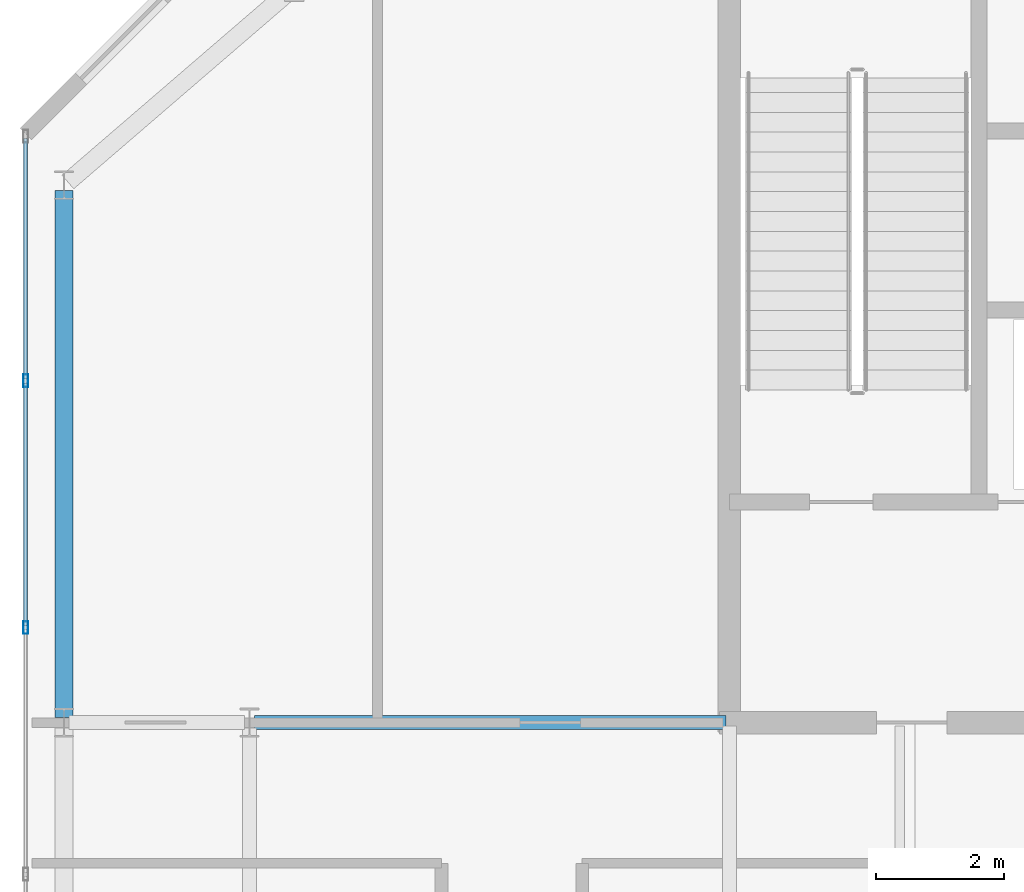
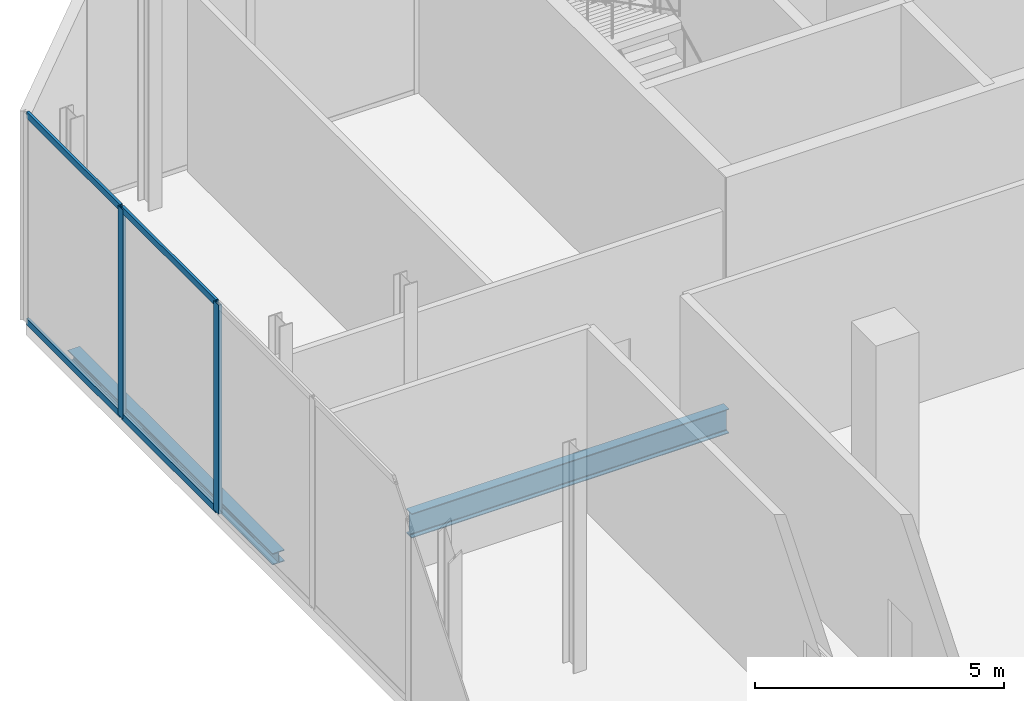
# One storey, part 8 of 17: 6 members, 2 beams, 1 element without a shape of its own.
"""IFC4 building model written with IfcOpenShell, lengths in metres."""

from ifc_helpers import new_model, si_unit, direction, frame, origin, origin_2d, place, context, subcontext, project, spatial, hollow_rectangle, i_section, extrude, material, layer, layer_set, material_profile, profile_set, type_object, element, aggregate, save


model = new_model("IFC4")

# Units and contexts
model_context = context("Model", 3, precision=1e-05, world=origin(), true_north=direction((0.0, 1.0)))
body_context = subcontext(model_context, "Body", "Model", "MODEL_VIEW")
ifc_project = project(units=[si_unit("LENGTHUNIT", "METRE"), si_unit("AREAUNIT", "SQUARE_METRE"), si_unit("VOLUMEUNIT", "CUBIC_METRE"), si_unit("PLANEANGLEUNIT", "RADIAN"), si_unit("MASSUNIT", "GRAM", prefix="KILO")], contexts=[model_context])

# Site, building, storey
site_placement = place(None, origin())
site = spatial("IfcSite", under=ifc_project, at=site_placement, CompositionType="ELEMENT")
building_placement = place(site_placement, origin())
building = spatial("IfcBuilding", under=site, at=building_placement, Name="Catumbela Crestline Tower", CompositionType="ELEMENT")
storey_placement = place(building_placement, frame((0.0, 0.0, 213.0)))
storey = spatial("IfcBuildingStorey", under=building, at=storey_placement, Name="L55", CompositionType="ELEMENT", Elevation=213.0)

# Beam
ifc_material_1 = material(Name="Structural steel S355J2", Category="steel")
ifc_material_profile_1 = material_profile(ifc_material_1, i_section(OverallWidth=0.22, OverallDepth=0.6, WebThickness=0.012, FlangeThickness=0.019, FilletRadius=0.024, at=origin_2d()), Name="IPE 600")
ifc_profile_set_1 = profile_set([ifc_material_profile_1], Name="Structural steel S355J2")
beam_type_1 = type_object("IfcBeamType", Name="BG-IPE600", PredefinedType="BEAM", material=ifc_profile_set_1)
beam_1_placement = place(storey_placement, frame((8.58, 30.8, -0.65), z_axis=(1.0, 0.0, 0.0), x_axis=(0.0, 1.0, 0.0)))
element("IfcBeam", 1, at=beam_1_placement, inside=storey, type_object=beam_type_1, Name="L55 Beam BM-L55-M07", PredefinedType="BEAM", context=body_context, shape_type="SweptSolid", body=[
    extrude(i_section(OverallWidth=0.22, OverallDepth=0.6, WebThickness=0.012, FlangeThickness=0.019, FilletRadius=0.024, at=origin_2d()), origin(), (0.0, 0.0, 1.0), 7.37),
])

# Curtain wall, members
ifc_material_2 = material(Name="Aluminium alloy AW-6060-T66", Category="aluminium")
ifc_layer = layer(ifc_material_2, 0.18, Name="Aluminium alloy AW-6060-T66")
ifc_layer_set = layer_set([ifc_layer], Name="Aluminium alloy AW-6060-T66")
curtain_wall_type = type_object("IfcCurtainWallType", Name="CWU-SKY", PredefinedType="USERDEFINED", material=ifc_layer_set)
curtain_wall_placement = place(storey_placement, origin())
curtain_wall = element("IfcCurtainWall", 2, at=curtain_wall_placement, inside=storey, type_object=curtain_wall_type, Name="L55 Unitised Curtain Wall CW-L55-E9S1", ObjectType="UNITISED", PredefinedType="USERDEFINED")
ifc_material_profile_2 = material_profile(ifc_material_2, hollow_rectangle(XDim=0.075, YDim=0.2, WallThickness=0.005, at=origin_2d()), Name="ALU 200x75x5")
ifc_profile_set_2 = profile_set([ifc_material_profile_2], Name="Aluminium alloy AW-6060-T66")
member_type_1 = type_object("IfcMemberType", Name="MUL-200X75", PredefinedType="MULLION", material=ifc_profile_set_2)
member_1_placement = place(storey_placement, frame((5.0, 36.1429, 0.0), z_axis=(0.0, 0.0, 1.0), x_axis=(1.0, 0.0, 0.0)))
member_1 = element("IfcMember", 3, at=member_1_placement, type_object=member_type_1, Name="CWU-SKY mullion 2", PredefinedType="MULLION", context=body_context, shape_type="SweptSolid", body=[
    extrude(hollow_rectangle(XDim=0.075, YDim=0.2, WallThickness=0.005, at=origin_2d()), origin(), (0.0, 0.0, 1.0), 5.13),
])
member_2_placement = place(storey_placement, frame((5.0, 32.2857, 0.0), z_axis=(0.0, 0.0, 1.0), x_axis=(1.0, 0.0, 0.0)))
member_2 = element("IfcMember", 4, at=member_2_placement, type_object=member_type_1, Name="CWU-SKY mullion 3", PredefinedType="MULLION", context=body_context, shape_type="SweptSolid", body=[
    extrude(hollow_rectangle(XDim=0.075, YDim=0.2, WallThickness=0.005, at=origin_2d()), origin(), (0.0, 0.0, 1.0), 5.13),
])

# Beam
ifc_material_profile_3 = material_profile(ifc_material_1, i_section(OverallWidth=0.28, OverallDepth=0.28, WebThickness=0.0105, FlangeThickness=0.018, FilletRadius=0.024, at=origin_2d()), Name="HEB 280")
ifc_profile_set_3 = profile_set([ifc_material_profile_3], Name="Structural steel S355J2")
beam_type_2 = type_object("IfcBeamType", Name="BS-HEB280", PredefinedType="SPANDREL", material=ifc_profile_set_3)
beam_2_placement = place(storey_placement, frame((5.6, 30.88, -0.49), z_axis=(0.0, 1.0, 0.0), x_axis=(-1.0, 0.0, 0.0)))
element("IfcBeam", 5, at=beam_2_placement, inside=storey, type_object=beam_type_2, Name="L55 Spandrel SP-L55-SN13", PredefinedType="SPANDREL", context=body_context, shape_type="SweptSolid", body=[
    extrude(i_section(OverallWidth=0.28, OverallDepth=0.28, WebThickness=0.0105, FlangeThickness=0.018, FilletRadius=0.024, at=origin_2d()), origin(), (0.0, 0.0, 1.0), 8.24),
])

# Member
ifc_material_profile_4 = material_profile(ifc_material_2, hollow_rectangle(XDim=0.06, YDim=0.16, WallThickness=0.004, at=origin_2d()), Name="ALU 160x60x4")
ifc_profile_set_4 = profile_set([ifc_material_profile_4], Name="Aluminium alloy AW-6060-T66")
member_type_2 = type_object("IfcMemberType", Name="TRN-160X60", PredefinedType="USERDEFINED", material=ifc_profile_set_4)
member_3_placement = place(storey_placement, frame((5.0, 39.935, 0.03), z_axis=(0.0, -1.0, 0.0), x_axis=(1.0, 0.0, 0.0)))
member_3 = element("IfcMember", 6, at=member_3_placement, type_object=member_type_2, Name="CWU-SKY transom 1.1", ObjectType="TRANSOM", PredefinedType="USERDEFINED", context=body_context, shape_type="SweptSolid", body=[
    extrude(hollow_rectangle(XDim=0.06, YDim=0.16, WallThickness=0.004, at=origin_2d()), origin(), (0.0, 0.0, 1.0), 3.7596),
])

member_4_placement = place(storey_placement, frame((5.0, 39.935, 5.1), z_axis=(0.0, -1.0, 0.0), x_axis=(1.0, 0.0, 0.0)))
member_4 = element("IfcMember", 7, at=member_4_placement, type_object=member_type_2, Name="CWU-SKY transom 1.2", ObjectType="TRANSOM", PredefinedType="USERDEFINED", context=body_context, shape_type="SweptSolid", body=[
    extrude(hollow_rectangle(XDim=0.06, YDim=0.16, WallThickness=0.004, at=origin_2d()), origin(), (0.0, 0.0, 1.0), 3.7596),
])

member_5_placement = place(storey_placement, frame((5.0, 36.1104, 0.03), z_axis=(0.0, -1.0, 0.0), x_axis=(1.0, 0.0, 0.0)))
member_5 = element("IfcMember", 8, at=member_5_placement, type_object=member_type_2, Name="CWU-SKY transom 2.1", ObjectType="TRANSOM", PredefinedType="USERDEFINED", context=body_context, shape_type="SweptSolid", body=[
    extrude(hollow_rectangle(XDim=0.06, YDim=0.16, WallThickness=0.004, at=origin_2d()), origin(), (0.0, 0.0, 1.0), 3.7922),
])

member_6_placement = place(storey_placement, frame((5.0, 36.1104, 5.1), z_axis=(0.0, -1.0, 0.0), x_axis=(1.0, 0.0, 0.0)))
member_6 = element("IfcMember", 9, at=member_6_placement, type_object=member_type_2, Name="CWU-SKY transom 2.2", ObjectType="TRANSOM", PredefinedType="USERDEFINED", context=body_context, shape_type="SweptSolid", body=[
    extrude(hollow_rectangle(XDim=0.06, YDim=0.16, WallThickness=0.004, at=origin_2d()), origin(), (0.0, 0.0, 1.0), 3.7922),
])

aggregate(curtain_wall, [member_1, member_2, member_3, member_4, member_5, member_6])

save(model, "model.ifc")
